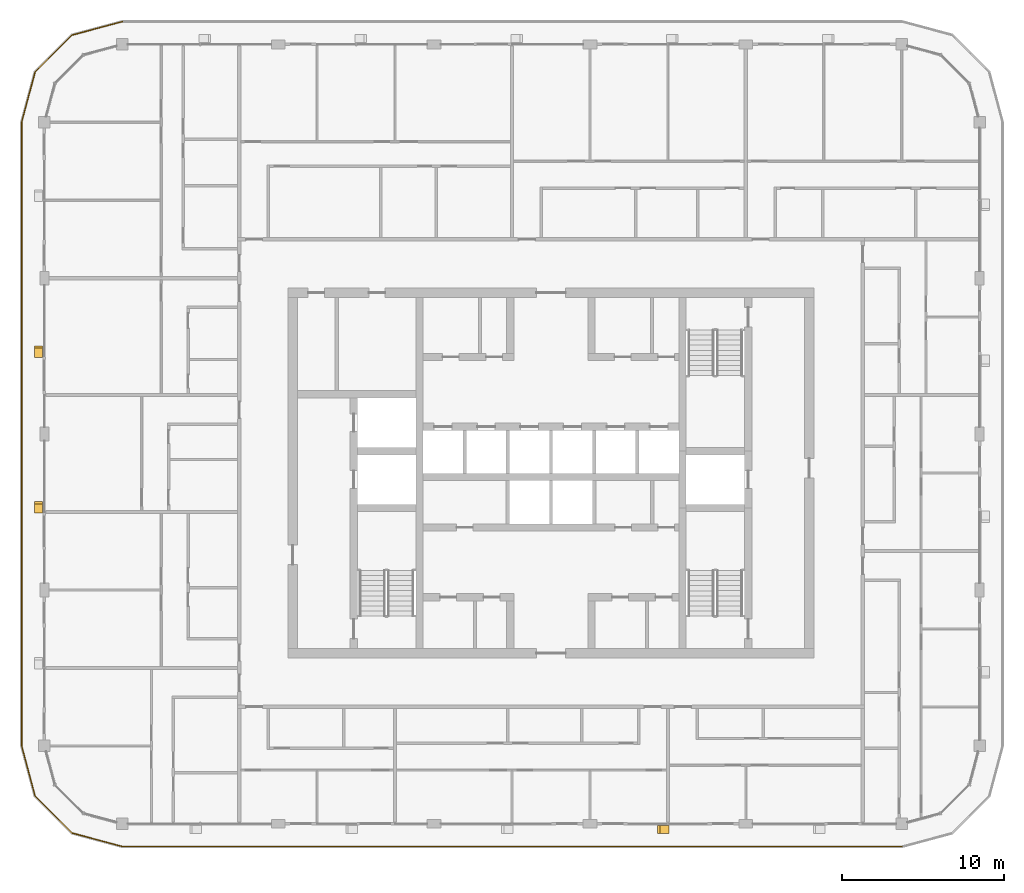
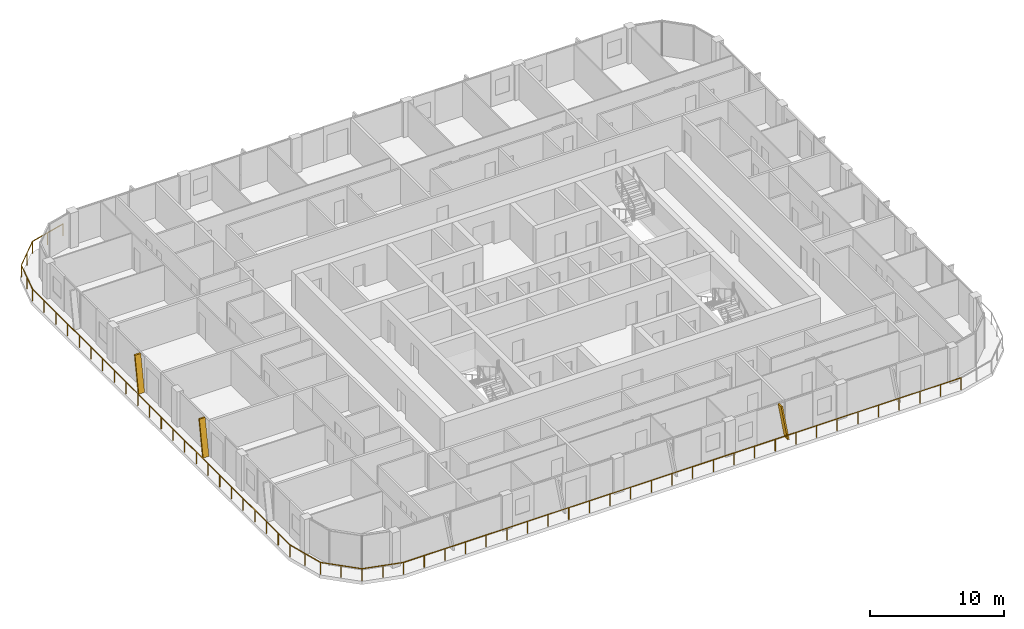
# One storey, part 18 of 22: 3 shading devices, 1 railing.
"""IFC4 building model written with IfcOpenShell, lengths in metres."""

from ifc_helpers import new_model, si_unit, direction, frame, origin, origin_2d, place, context, subcontext, project, spatial, polyline, circle, outline, extrude, material, type_object, element, save


model = new_model("IFC4")

# Units and contexts
model_context = context("Model", 3, precision=1e-05, world=origin(), true_north=direction((0.0, 1.0)))
body_context = subcontext(model_context, "Body", "Model", "MODEL_VIEW")
ifc_project = project(units=[si_unit("LENGTHUNIT", "METRE"), si_unit("AREAUNIT", "SQUARE_METRE"), si_unit("VOLUMEUNIT", "CUBIC_METRE"), si_unit("PLANEANGLEUNIT", "RADIAN"), si_unit("MASSUNIT", "GRAM", prefix="KILO")], contexts=[model_context])

# Site, building, storey
site_placement = place(None, origin())
site = spatial("IfcSite", under=ifc_project, at=site_placement, CompositionType="ELEMENT")
building_placement = place(site_placement, origin())
building = spatial("IfcBuilding", under=site, at=building_placement, Name="Madar Terraces", CompositionType="ELEMENT")
storey_placement = place(building_placement, frame((0.0, 0.0, 249.199951171875)))
storey = spatial("IfcBuildingStorey", under=building, at=storey_placement, Name="L65", CompositionType="ELEMENT", Elevation=249.199951171875)

# Railing
ifc_material_1 = material(Name="Glass, safety glazing, with stainless steel posts", Category="steel")
railing_type = type_object("IfcRailingType", Name="Balcony glass guard 1100", PredefinedType="GUARDRAIL", material=ifc_material_1)
railing_placement = place(storey_placement, frame((4.800048828125, 54.199951171875, 0.0)))
element("IfcRailing", 1, at=railing_placement, inside=storey, type_object=railing_type, Name="Balcony guard", PredefinedType="GUARDRAIL", context=body_context, shape_type="SweptSolid", body=[
    extrude(circle(Radius=0.02392578125, at=origin_2d()), frame((0.0, 0.0, 1.076171875), z_axis=(-0.9659337912, -0.258789317819, 0.0), x_axis=(0.258789317819, -0.9659337912, 0.0)), (0.0, 0.0, 1.0), 3.20947265625),
    extrude(circle(Radius=0.02392578125, at=origin_2d()), frame((-3.10009765625, -0.83056640625, 1.076171875), z_axis=(-0.707106781187, -0.707106781187, 0.0), x_axis=(0.707106781187, -0.707106781187, 0.0)), (0.0, 0.0, 1.0), 3.209228515625),
    extrude(circle(Radius=0.02392578125, at=origin_2d()), frame((-5.369384765625, -3.099853515625, 1.076171875), z_axis=(-0.258789317819, -0.9659337912, 0.0), x_axis=(0.9659337912, -0.258789317819, 0.0)), (0.0, 0.0, 1.0), 3.20947265625),
    extrude(circle(Radius=0.02392578125, at=origin_2d()), frame((-6.199951171875, -6.199951171875, 1.076171875), z_axis=(0.0, -1.0, 0.0), x_axis=(1.0, 0.0, 0.0)), (0.0, 0.0, 1.0), 38.39990234375),
    extrude(circle(Radius=0.02392578125, at=origin_2d()), frame((-6.199951171875, -44.599853515625, 1.076171875), z_axis=(0.258789317819, -0.9659337912, 0.0), x_axis=(0.9659337912, 0.258789317819, 0.0)), (0.0, 0.0, 1.0), 3.20947265625),
    extrude(circle(Radius=0.02392578125, at=origin_2d()), frame((-5.369384765625, -47.699951171875, 1.076171875), z_axis=(0.707106781187, -0.707106781187, 0.0), x_axis=(0.707106781187, 0.707106781187, 0.0)), (0.0, 0.0, 1.0), 3.209228515625),
    extrude(circle(Radius=0.02392578125, at=origin_2d()), frame((-3.10009765625, -49.96923828125, 1.076171875), z_axis=(0.965914773555, -0.258860290944, 0.0), x_axis=(0.258860290944, 0.965914773555, 0.0)), (0.0, 0.0, 1.0), 3.20947265625),
    extrude(circle(Radius=0.02392578125, at=origin_2d()), frame((0.0, -50.800048828125, 1.076171875), z_axis=(1.0, 0.0, 0.0), x_axis=(0.0, 1.0, 0.0)), (0.0, 0.0, 1.0), 48.0),
    extrude(circle(Radius=0.02099609375, at=origin_2d()), origin(), (0.0, 0.0, 1.0), 1.052001953125),
    extrude(circle(Radius=0.02099609375, at=origin_2d()), frame((-1.550048828125, -0.415283203125, 0.0)), (0.0, 0.0, 1.0), 1.052001953125),
    extrude(circle(Radius=0.02099609375, at=origin_2d()), frame((-3.10009765625, -0.83056640625, 0.0)), (0.0, 0.0, 1.0), 1.052001953125),
    extrude(circle(Radius=0.02099609375, at=origin_2d()), frame((-4.23486328125, -1.96533203125, 0.0)), (0.0, 0.0, 1.0), 1.052001953125),
    extrude(circle(Radius=0.02099609375, at=origin_2d()), frame((-5.369384765625, -3.099853515625, 0.0)), (0.0, 0.0, 1.0), 1.052001953125),
    extrude(circle(Radius=0.02099609375, at=origin_2d()), frame((-5.78466796875, -4.64990234375, 0.0)), (0.0, 0.0, 1.0), 1.052001953125),
    extrude(circle(Radius=0.02099609375, at=origin_2d()), frame((-6.199951171875, -6.199951171875, 0.0)), (0.0, 0.0, 1.0), 1.052001953125),
    extrude(circle(Radius=0.02099609375, at=origin_2d()), frame((-6.199951171875, -7.9453125, 0.0)), (0.0, 0.0, 1.0), 1.052001953125),
    extrude(circle(Radius=0.02099609375, at=origin_2d()), frame((-6.199951171875, -9.69091796875, 0.0)), (0.0, 0.0, 1.0), 1.052001953125),
    extrude(circle(Radius=0.02099609375, at=origin_2d()), frame((-6.199951171875, -11.436279296875, 0.0)), (0.0, 0.0, 1.0), 1.052001953125),
    extrude(circle(Radius=0.02099609375, at=origin_2d()), frame((-6.199951171875, -13.181640625, 0.0)), (0.0, 0.0, 1.0), 1.052001953125),
    extrude(circle(Radius=0.02099609375, at=origin_2d()), frame((-6.199951171875, -14.92724609375, 0.0)), (0.0, 0.0, 1.0), 1.052001953125),
    extrude(circle(Radius=0.02099609375, at=origin_2d()), frame((-6.199951171875, -16.672607421875, 0.0)), (0.0, 0.0, 1.0), 1.052001953125),
    extrude(circle(Radius=0.02099609375, at=origin_2d()), frame((-6.199951171875, -18.418212890625, 0.0)), (0.0, 0.0, 1.0), 1.052001953125),
    extrude(circle(Radius=0.02099609375, at=origin_2d()), frame((-6.199951171875, -20.16357421875, 0.0)), (0.0, 0.0, 1.0), 1.052001953125),
    extrude(circle(Radius=0.02099609375, at=origin_2d()), frame((-6.199951171875, -21.908935546875, 0.0)), (0.0, 0.0, 1.0), 1.052001953125),
    extrude(circle(Radius=0.02099609375, at=origin_2d()), frame((-6.199951171875, -23.654541015625, 0.0)), (0.0, 0.0, 1.0), 1.052001953125),
    extrude(circle(Radius=0.02099609375, at=origin_2d()), frame((-6.199951171875, -25.39990234375, 0.0)), (0.0, 0.0, 1.0), 1.052001953125),
    extrude(circle(Radius=0.02099609375, at=origin_2d()), frame((-6.199951171875, -27.145263671875, 0.0)), (0.0, 0.0, 1.0), 1.052001953125),
    extrude(circle(Radius=0.02099609375, at=origin_2d()), frame((-6.199951171875, -28.890869140625, 0.0)), (0.0, 0.0, 1.0), 1.052001953125),
    extrude(circle(Radius=0.02099609375, at=origin_2d()), frame((-6.199951171875, -30.63623046875, 0.0)), (0.0, 0.0, 1.0), 1.052001953125),
    extrude(circle(Radius=0.02099609375, at=origin_2d()), frame((-6.199951171875, -32.381591796875, 0.0)), (0.0, 0.0, 1.0), 1.052001953125),
    extrude(circle(Radius=0.02099609375, at=origin_2d()), frame((-6.199951171875, -34.127197265625, 0.0)), (0.0, 0.0, 1.0), 1.052001953125),
    extrude(circle(Radius=0.02099609375, at=origin_2d()), frame((-6.199951171875, -35.87255859375, 0.0)), (0.0, 0.0, 1.0), 1.052001953125),
    extrude(circle(Radius=0.02099609375, at=origin_2d()), frame((-6.199951171875, -37.6181640625, 0.0)), (0.0, 0.0, 1.0), 1.052001953125),
    extrude(circle(Radius=0.02099609375, at=origin_2d()), frame((-6.199951171875, -39.363525390625, 0.0)), (0.0, 0.0, 1.0), 1.052001953125),
    extrude(circle(Radius=0.02099609375, at=origin_2d()), frame((-6.199951171875, -41.10888671875, 0.0)), (0.0, 0.0, 1.0), 1.052001953125),
    extrude(circle(Radius=0.02099609375, at=origin_2d()), frame((-6.199951171875, -42.8544921875, 0.0)), (0.0, 0.0, 1.0), 1.052001953125),
    extrude(circle(Radius=0.02099609375, at=origin_2d()), frame((-6.199951171875, -44.599853515625, 0.0)), (0.0, 0.0, 1.0), 1.052001953125),
    extrude(circle(Radius=0.02099609375, at=origin_2d()), frame((-5.78466796875, -46.14990234375, 0.0)), (0.0, 0.0, 1.0), 1.052001953125),
    extrude(circle(Radius=0.02099609375, at=origin_2d()), frame((-5.369384765625, -47.699951171875, 0.0)), (0.0, 0.0, 1.0), 1.052001953125),
    extrude(circle(Radius=0.02099609375, at=origin_2d()), frame((-4.23486328125, -48.83447265625, 0.0)), (0.0, 0.0, 1.0), 1.052001953125),
    extrude(circle(Radius=0.02099609375, at=origin_2d()), frame((-3.10009765625, -49.96923828125, 0.0)), (0.0, 0.0, 1.0), 1.052001953125),
    extrude(circle(Radius=0.02099609375, at=origin_2d()), frame((-1.550048828125, -50.384765625, 0.0)), (0.0, 0.0, 1.0), 1.052001953125),
    extrude(circle(Radius=0.02099609375, at=origin_2d()), frame((0.0, -50.800048828125, 0.0)), (0.0, 0.0, 1.0), 1.052001953125),
    extrude(circle(Radius=0.02099609375, at=origin_2d()), frame((1.77783203125, -50.800048828125, 0.0)), (0.0, 0.0, 1.0), 1.052001953125),
    extrude(circle(Radius=0.02099609375, at=origin_2d()), frame((3.5556640625, -50.800048828125, 0.0)), (0.0, 0.0, 1.0), 1.052001953125),
    extrude(circle(Radius=0.02099609375, at=origin_2d()), frame((5.333251953125, -50.800048828125, 0.0)), (0.0, 0.0, 1.0), 1.052001953125),
    extrude(circle(Radius=0.02099609375, at=origin_2d()), frame((7.111083984375, -50.800048828125, 0.0)), (0.0, 0.0, 1.0), 1.052001953125),
    extrude(circle(Radius=0.02099609375, at=origin_2d()), frame((8.888916015625, -50.800048828125, 0.0)), (0.0, 0.0, 1.0), 1.052001953125),
    extrude(circle(Radius=0.02099609375, at=origin_2d()), frame((10.666748046875, -50.800048828125, 0.0)), (0.0, 0.0, 1.0), 1.052001953125),
    extrude(circle(Radius=0.02099609375, at=origin_2d()), frame((12.4443359375, -50.800048828125, 0.0)), (0.0, 0.0, 1.0), 1.052001953125),
    extrude(circle(Radius=0.02099609375, at=origin_2d()), frame((14.22216796875, -50.800048828125, 0.0)), (0.0, 0.0, 1.0), 1.052001953125),
    extrude(circle(Radius=0.02099609375, at=origin_2d()), frame((16.0, -50.800048828125, 0.0)), (0.0, 0.0, 1.0), 1.052001953125),
    extrude(circle(Radius=0.02099609375, at=origin_2d()), frame((17.77783203125, -50.800048828125, 0.0)), (0.0, 0.0, 1.0), 1.052001953125),
    extrude(circle(Radius=0.02099609375, at=origin_2d()), frame((19.5556640625, -50.800048828125, 0.0)), (0.0, 0.0, 1.0), 1.052001953125),
    extrude(circle(Radius=0.02099609375, at=origin_2d()), frame((21.333251953125, -50.800048828125, 0.0)), (0.0, 0.0, 1.0), 1.052001953125),
    extrude(circle(Radius=0.02099609375, at=origin_2d()), frame((23.111083984375, -50.800048828125, 0.0)), (0.0, 0.0, 1.0), 1.052001953125),
    extrude(circle(Radius=0.02099609375, at=origin_2d()), frame((24.888916015625, -50.800048828125, 0.0)), (0.0, 0.0, 1.0), 1.052001953125),
    extrude(circle(Radius=0.02099609375, at=origin_2d()), frame((26.666748046875, -50.800048828125, 0.0)), (0.0, 0.0, 1.0), 1.052001953125),
    extrude(circle(Radius=0.02099609375, at=origin_2d()), frame((28.4443359375, -50.800048828125, 0.0)), (0.0, 0.0, 1.0), 1.052001953125),
    extrude(circle(Radius=0.02099609375, at=origin_2d()), frame((30.22216796875, -50.800048828125, 0.0)), (0.0, 0.0, 1.0), 1.052001953125),
    extrude(circle(Radius=0.02099609375, at=origin_2d()), frame((32.0, -50.800048828125, 0.0)), (0.0, 0.0, 1.0), 1.052001953125),
    extrude(circle(Radius=0.02099609375, at=origin_2d()), frame((33.77783203125, -50.800048828125, 0.0)), (0.0, 0.0, 1.0), 1.052001953125),
    extrude(circle(Radius=0.02099609375, at=origin_2d()), frame((35.5556640625, -50.800048828125, 0.0)), (0.0, 0.0, 1.0), 1.052001953125),
    extrude(circle(Radius=0.02099609375, at=origin_2d()), frame((37.333251953125, -50.800048828125, 0.0)), (0.0, 0.0, 1.0), 1.052001953125),
    extrude(circle(Radius=0.02099609375, at=origin_2d()), frame((39.111083984375, -50.800048828125, 0.0)), (0.0, 0.0, 1.0), 1.052001953125),
    extrude(circle(Radius=0.02099609375, at=origin_2d()), frame((40.888916015625, -50.800048828125, 0.0)), (0.0, 0.0, 1.0), 1.052001953125),
    extrude(circle(Radius=0.02099609375, at=origin_2d()), frame((42.666748046875, -50.800048828125, 0.0)), (0.0, 0.0, 1.0), 1.052001953125),
    extrude(circle(Radius=0.02099609375, at=origin_2d()), frame((44.4443359375, -50.800048828125, 0.0)), (0.0, 0.0, 1.0), 1.052001953125),
    extrude(circle(Radius=0.02099609375, at=origin_2d()), frame((46.22216796875, -50.800048828125, 0.0)), (0.0, 0.0, 1.0), 1.052001953125),
    extrude(circle(Radius=0.02099609375, at=origin_2d()), frame((48.0, -50.800048828125, 0.0)), (0.0, 0.0, 1.0), 1.052001953125),
])

# Shading devices
ifc_material_2 = material(Name="Aluminium, black anodised", Category="aluminium")
shading_device_type = type_object("IfcShadingDeviceType", Name="Facade fin blade 140 x 500", PredefinedType="USERDEFINED", material=ifc_material_2)
for number, where, z_axis, x_axis, name in (
    (2, (38.330078125, 4.449951171875, 0.0), (0.0, 0.0, 1.0), (1.0, 0.0, 0.0), "FIN L65 S4"),
    (3, (-0.35009765625, 33.669921875, 0.0), (0.0, 0.0, 1.0), (0.0, -1.0, 0.0), "FIN L65 W2"),
):
    element("IfcShadingDevice", number, at=place(storey_placement, frame(where, z_axis=z_axis, x_axis=x_axis)), inside=storey, type_object=shading_device_type, Name=name, ObjectType="FIN", PredefinedType="USERDEFINED", context=body_context, shape_type="SweptSolid", body=[
        extrude(outline(polyline([(0.0, 0.0), (0.139892578125, 0.0), (-0.42431640625, 3.199951171875), (-0.564208984375, 3.199951171875), (0.0, 0.0)])), frame((0.0, 0.25, 0.0), z_axis=(0.0, -1.0, 0.0), x_axis=(1.0, 0.0, 0.0)), (0.0, 0.0, 1.0), 0.5),
    ])
shading_device_placement = place(storey_placement, frame((-0.35009765625, 24.070068359375, 0.0), z_axis=(0.0, 0.0, 1.0), x_axis=(0.0, -1.0, 0.0)))
element("IfcShadingDevice", 4, at=shading_device_placement, inside=storey, type_object=shading_device_type, Name="FIN L65 W3", ObjectType="FIN", PredefinedType="USERDEFINED", context=body_context, shape_type="SweptSolid", body=[
    extrude(outline(polyline([(0.0, 0.0), (0.14013671875, 0.0), (-0.42431640625, 3.199951171875), (-0.564208984375, 3.199951171875), (0.0, 0.0)])), frame((0.0, 0.25, 0.0), z_axis=(0.0, -1.0, 0.0), x_axis=(1.0, 0.0, 0.0)), (0.0, 0.0, 1.0), 0.5),
])

save(model, "model.ifc")
